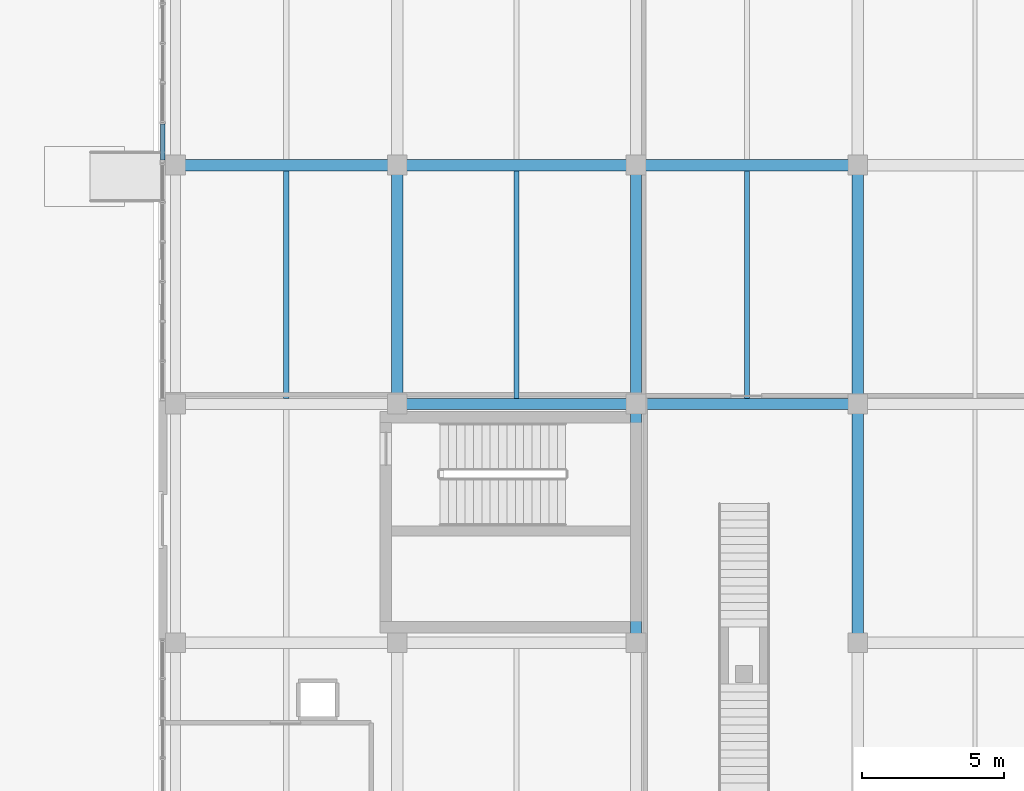
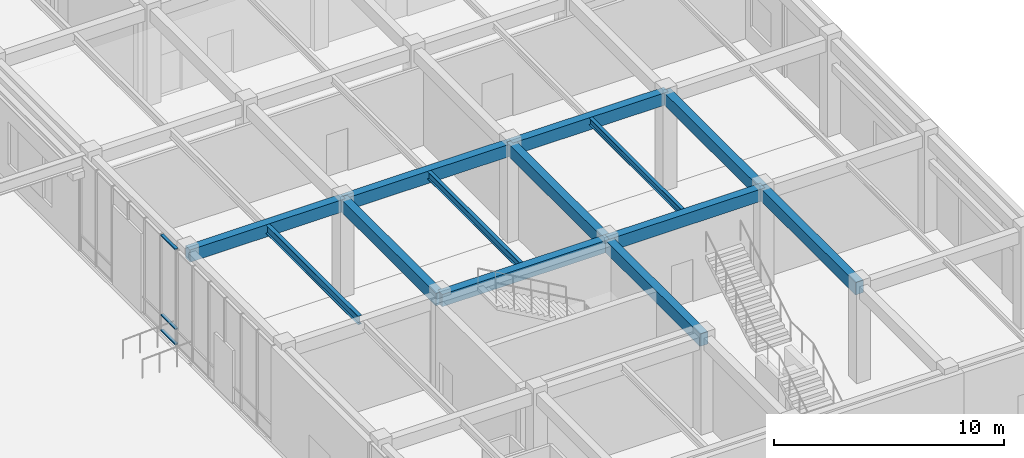
# One storey, part 30 of 122: 13 beams, 3 members, 1 element without a shape of its own.
"""IFC4 building model written with IfcOpenShell, lengths in metres."""

from ifc_helpers import new_model, si_unit, direction, frame, origin, origin_2d, place, context, subcontext, project, spatial, rectangle, hollow_rectangle, i_section, extrude, material, layer, layer_set, material_profile, profile_set, type_object, element, aggregate, save


model = new_model("IFC4")

# Units and contexts
model_context = context("Model", 3, precision=1e-05, world=origin(), true_north=direction((0.0, 1.0)))
body_context = subcontext(model_context, "Body", "Model", "MODEL_VIEW")
ifc_project = project(units=[si_unit("LENGTHUNIT", "METRE"), si_unit("AREAUNIT", "SQUARE_METRE"), si_unit("VOLUMEUNIT", "CUBIC_METRE"), si_unit("PLANEANGLEUNIT", "RADIAN"), si_unit("MASSUNIT", "GRAM", prefix="KILO")], contexts=[model_context])

# Site, building, storey
site_placement = place(None, origin())
site = spatial("IfcSite", under=ifc_project, at=site_placement, CompositionType="ELEMENT")
building_placement = place(site_placement, origin())
building = spatial("IfcBuilding", under=site, at=building_placement, Name="Zayran Congress Hotel", CompositionType="ELEMENT")
storey_placement = place(building_placement, origin())
storey = spatial("IfcBuildingStorey", under=building, at=storey_placement, Name="L00", CompositionType="ELEMENT", Elevation=0.0)

# Beams
ifc_material_1 = material(Name="Concrete C40/50", Category="concrete")
ifc_material_profile_1 = material_profile(ifc_material_1, rectangle(XDim=0.39990234375, YDim=0.64990234375, at=origin_2d()), Name="RC 400x650")
ifc_profile_set_1 = profile_set([ifc_material_profile_1], Name="Concrete C40/50")
beam_type_1 = type_object("IfcBeamType", Name="TP-BM-03", PredefinedType="BEAM", material=ifc_profile_set_1)
beam_1_placement = place(storey_placement, frame((117.60009765625, 59.199951171875, 4.77490234375), z_axis=(1.0, 0.0, 0.0), x_axis=(0.0, 1.0, 0.0)))
element("IfcBeam", 1, at=beam_1_placement, inside=storey, type_object=beam_type_1, Name="BM-V4-L00-1215", PredefinedType="BEAM", context=body_context, shape_type="SweptSolid", body=[
    extrude(rectangle(XDim=0.39990234375, YDim=0.64990234375, at=origin_2d()), origin(), (0.0, 0.0, 1.0), 8.39990234375),
])
for number, where, z_axis, x_axis, name in (
    (2, (126.0, 59.199951171875, 4.77490234375), (1.0, 0.0, 0.0), (0.0, 1.0, 0.0), "BM-V4-L00-1216"),
    (3, (109.800048828125, 67.60009765625, 4.77490234375), (1.0, 0.0, 0.0), (0.0, 1.0, 0.0), "BM-V4-L00-1218"),
):
    element("IfcBeam", number, at=place(storey_placement, frame(where, z_axis=z_axis, x_axis=x_axis)), inside=storey, type_object=beam_type_1, Name=name, PredefinedType="BEAM", context=body_context, shape_type="SweptSolid", body=[
        extrude(rectangle(XDim=0.39990234375, YDim=0.64990234375, at=origin_2d()), origin(), (0.0, 0.0, 1.0), 7.800048828125),
    ])
beam_2_placement = place(storey_placement, frame((117.60009765625, 67.60009765625, 4.77490234375), z_axis=(1.0, 0.0, 0.0), x_axis=(0.0, 1.0, 0.0)))
element("IfcBeam", 4, at=beam_2_placement, inside=storey, type_object=beam_type_1, Name="BM-V4-L00-1219", PredefinedType="BEAM", context=body_context, shape_type="SweptSolid", body=[
    extrude(rectangle(XDim=0.39990234375, YDim=0.64990234375, at=origin_2d()), origin(), (0.0, 0.0, 1.0), 8.39990234375),
])
beam_3_placement = place(storey_placement, frame((126.0, 67.60009765625, 4.77490234375), z_axis=(1.0, 0.0, 0.0), x_axis=(0.0, 1.0, 0.0)))
element("IfcBeam", 5, at=beam_3_placement, inside=storey, type_object=beam_type_1, Name="BM-V4-L00-1220", PredefinedType="BEAM", context=body_context, shape_type="SweptSolid", body=[
    extrude(rectangle(XDim=0.39990234375, YDim=0.64990234375, at=origin_2d()), origin(), (0.0, 0.0, 1.0), 7.800048828125),
])
beam_4_placement = place(storey_placement, frame((117.60009765625, 59.199951171875, 4.77490234375), z_axis=(0.0, 1.0, 0.0), x_axis=(-1.0, 0.0, 0.0)))
element("IfcBeam", 6, at=beam_4_placement, inside=storey, type_object=beam_type_1, Name="BM-V4-L00-1251", PredefinedType="BEAM", context=body_context, shape_type="SweptSolid", body=[
    extrude(rectangle(XDim=0.39990234375, YDim=0.64990234375, at=origin_2d()), origin(), (0.0, 0.0, 1.0), 8.400146484375),
])
beam_5_placement = place(storey_placement, frame((126.0, 50.800048828125, 4.77490234375), z_axis=(0.0, 1.0, 0.0), x_axis=(-1.0, 0.0, 0.0)))
element("IfcBeam", 7, at=beam_5_placement, inside=storey, type_object=beam_type_1, Name="BM-V4-L00-1257", PredefinedType="BEAM", context=body_context, shape_type="SweptSolid", body=[
    extrude(rectangle(XDim=0.39990234375, YDim=0.64990234375, at=origin_2d()), origin(), (0.0, 0.0, 1.0), 8.39990234375),
])
beam_6_placement = place(storey_placement, frame((126.0, 59.199951171875, 4.77490234375), z_axis=(0.0, 1.0, 0.0), x_axis=(-1.0, 0.0, 0.0)))
element("IfcBeam", 8, at=beam_6_placement, inside=storey, type_object=beam_type_1, Name="BM-V4-L00-1258", PredefinedType="BEAM", context=body_context, shape_type="SweptSolid", body=[
    extrude(rectangle(XDim=0.39990234375, YDim=0.64990234375, at=origin_2d()), origin(), (0.0, 0.0, 1.0), 8.400146484375),
])
beam_7_placement = place(storey_placement, frame((133.800048828125, 50.800048828125, 4.77490234375), z_axis=(0.0, 1.0, 0.0), x_axis=(-1.0, 0.0, 0.0)))
element("IfcBeam", 9, at=beam_7_placement, inside=storey, type_object=beam_type_1, Name="BM-V4-L00-1265", PredefinedType="BEAM", context=body_context, shape_type="SweptSolid", body=[
    extrude(rectangle(XDim=0.39990234375, YDim=0.64990234375, at=origin_2d()), origin(), (0.0, 0.0, 1.0), 8.39990234375),
])
beam_8_placement = place(storey_placement, frame((133.800048828125, 59.199951171875, 4.77490234375), z_axis=(0.0, 1.0, 0.0), x_axis=(-1.0, 0.0, 0.0)))
element("IfcBeam", 10, at=beam_8_placement, inside=storey, type_object=beam_type_1, Name="BM-V4-L00-1266", PredefinedType="BEAM", context=body_context, shape_type="SweptSolid", body=[
    extrude(rectangle(XDim=0.39990234375, YDim=0.64990234375, at=origin_2d()), origin(), (0.0, 0.0, 1.0), 8.400146484375),
])
ifc_material_2 = material(Name="Steel S355", Category="steel")
ifc_material_profile_2 = material_profile(ifc_material_2, i_section(OverallWidth=0.18994140625, OverallDepth=0.449951171875, WebThickness=0.009521484375, FlangeThickness=0.0146484375, at=origin_2d()), Name="IPE 450")
ifc_profile_set_2 = profile_set([ifc_material_profile_2], Name="Steel S355")
beam_type_2 = type_object("IfcBeamType", Name="TP-JS-02", PredefinedType="JOIST", material=ifc_profile_set_2)
beam_9_placement = place(storey_placement, frame((113.699951171875, 59.39990234375, 4.875), z_axis=(0.0, 1.0, 0.0), x_axis=(-1.0, 0.0, 0.0)))
element("IfcBeam", 11, at=beam_9_placement, inside=storey, type_object=beam_type_2, Name="JST-V4-L00-1282", PredefinedType="JOIST", context=body_context, shape_type="SweptSolid", body=[
    extrude(i_section(OverallWidth=0.18994140625, OverallDepth=0.449951171875, WebThickness=0.009521484375, FlangeThickness=0.0146484375, at=origin_2d()), origin(), (0.0, 0.0, 1.0), 8.0),
])
ifc_material_profile_3 = material_profile(ifc_material_2, i_section(OverallWidth=0.179931640625, OverallDepth=0.39990234375, WebThickness=0.008544921875, FlangeThickness=0.013427734375, at=origin_2d()), Name="IPE 400")
ifc_profile_set_3 = profile_set([ifc_material_profile_3], Name="Steel S355")
beam_type_3 = type_object("IfcBeamType", Name="TP-JS-03", PredefinedType="JOIST", material=ifc_profile_set_3)
beam_10_placement = place(storey_placement, frame((121.800048828125, 59.39990234375, 4.89990234375), z_axis=(0.0, 1.0, 0.0), x_axis=(-1.0, 0.0, 0.0)))
element("IfcBeam", 12, at=beam_10_placement, inside=storey, type_object=beam_type_3, Name="JST-V4-L00-1289", PredefinedType="JOIST", context=body_context, shape_type="SweptSolid", body=[
    extrude(i_section(OverallWidth=0.179931640625, OverallDepth=0.39990234375, WebThickness=0.008544921875, FlangeThickness=0.013427734375, at=origin_2d()), origin(), (0.0, 0.0, 1.0), 8.0),
])
ifc_material_profile_4 = material_profile(ifc_material_2, i_section(OverallWidth=0.169921875, OverallDepth=0.360107421875, WebThickness=0.008056640625, FlangeThickness=0.0126953125, at=origin_2d()), Name="IPE 360")
ifc_profile_set_4 = profile_set([ifc_material_profile_4], Name="Steel S355")
beam_type_4 = type_object("IfcBeamType", Name="TP-JS-04", PredefinedType="JOIST", material=ifc_profile_set_4)
beam_11_placement = place(storey_placement, frame((129.89990234375, 59.39990234375, 4.919921875), z_axis=(0.0, 1.0, 0.0), x_axis=(-1.0, 0.0, 0.0)))
element("IfcBeam", 13, at=beam_11_placement, inside=storey, type_object=beam_type_4, Name="JST-V4-L00-1294", PredefinedType="JOIST", context=body_context, shape_type="SweptSolid", body=[
    extrude(i_section(OverallWidth=0.169921875, OverallDepth=0.360107421875, WebThickness=0.008056640625, FlangeThickness=0.0126953125, at=origin_2d()), origin(), (0.0, 0.0, 1.0), 8.0),
])

# Curtain wall, members
ifc_material_3 = material(Name="Anodised aluminium and low-E insulated glass", Category="aluminium")
ifc_layer = layer(ifc_material_3, 0.179931640625)
ifc_layer_set = layer_set([ifc_layer], Name="Anodised aluminium and low-E insulated glass")
curtain_wall_type = type_object("IfcCurtainWallType", Name="CW-V4W-L00-CW-51-8376-5100", PredefinedType="USERDEFINED", material=ifc_layer_set)
curtain_wall_placement = place(storey_placement, origin())
curtain_wall = element("IfcCurtainWall", 14, at=curtain_wall_placement, inside=storey, type_object=curtain_wall_type, Name="CW-V4W-L00-3", ObjectType="CURTAIN WALL", PredefinedType="USERDEFINED")
ifc_material_4 = material(Name="Anodised aluminium framing", Category="aluminium")
ifc_material_profile_5 = material_profile(ifc_material_4, hollow_rectangle(XDim=0.06005859375, YDim=0.14990234375, WallThickness=0.00390625, at=origin_2d()), Name="RHS 150x60x4")
ifc_profile_set_5 = profile_set([ifc_material_profile_5], Name="Anodised aluminium framing")
member_type = type_object("IfcMemberType", Name="TP-CWT-01", PredefinedType="USERDEFINED", material=ifc_profile_set_5)
member_1_placement = place(storey_placement, frame((109.35009765625, 69.054931640625, 0.030029296875), z_axis=(0.0, -1.0, 0.0), x_axis=(0.0, 0.0, 1.0)))
member_1 = element("IfcMember", 15, at=member_1_placement, type_object=member_type, Name="CW-V4W-L00-3-T05-0", ObjectType="TRANSOM", PredefinedType="USERDEFINED", context=body_context, shape_type="SweptSolid", body=[
    extrude(hollow_rectangle(XDim=0.06005859375, YDim=0.14990234375, WallThickness=0.00390625, at=origin_2d()), origin(), (0.0, 0.0, 1.0), 1.27587890625),
])
member_2_placement = place(storey_placement, frame((109.35009765625, 69.054931640625, 0.840087890625), z_axis=(0.0, -1.0, 0.0), x_axis=(0.0, 0.0, 1.0)))
member_2 = element("IfcMember", 16, at=member_2_placement, type_object=member_type, Name="CW-V4W-L00-3-T05-1", ObjectType="TRANSOM", PredefinedType="USERDEFINED", context=body_context, shape_type="SweptSolid", body=[
    extrude(hollow_rectangle(XDim=0.06005859375, YDim=0.14990234375, WallThickness=0.00390625, at=origin_2d()), origin(), (0.0, 0.0, 1.0), 1.27587890625),
])
member_3_placement = place(storey_placement, frame((109.35009765625, 69.054931640625, 5.070068359375), z_axis=(0.0, -1.0, 0.0), x_axis=(0.0, 0.0, 1.0)))
member_3 = element("IfcMember", 17, at=member_3_placement, type_object=member_type, Name="CW-V4W-L00-3-T05-2", ObjectType="TRANSOM", PredefinedType="USERDEFINED", context=body_context, shape_type="SweptSolid", body=[
    extrude(hollow_rectangle(XDim=0.06005859375, YDim=0.14990234375, WallThickness=0.00390625, at=origin_2d()), origin(), (0.0, 0.0, 1.0), 1.27587890625),
])
aggregate(curtain_wall, [member_1, member_2, member_3])

save(model, "model.ifc")
